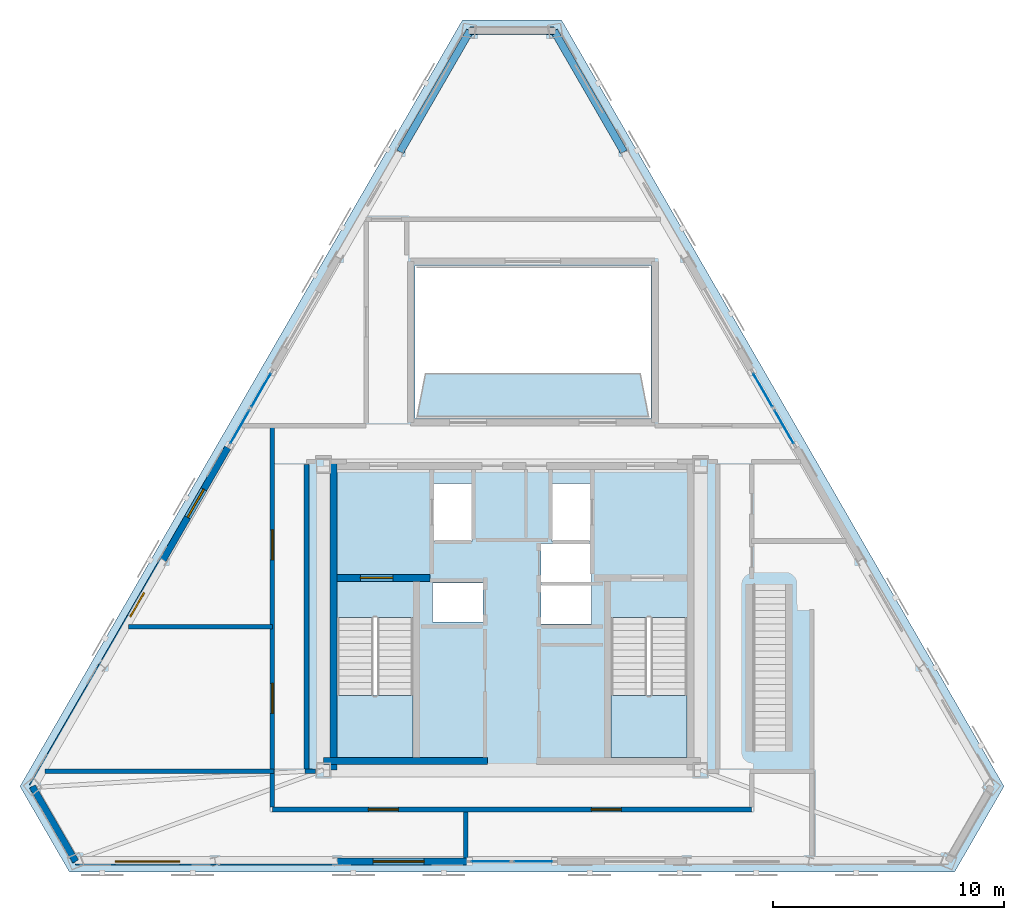
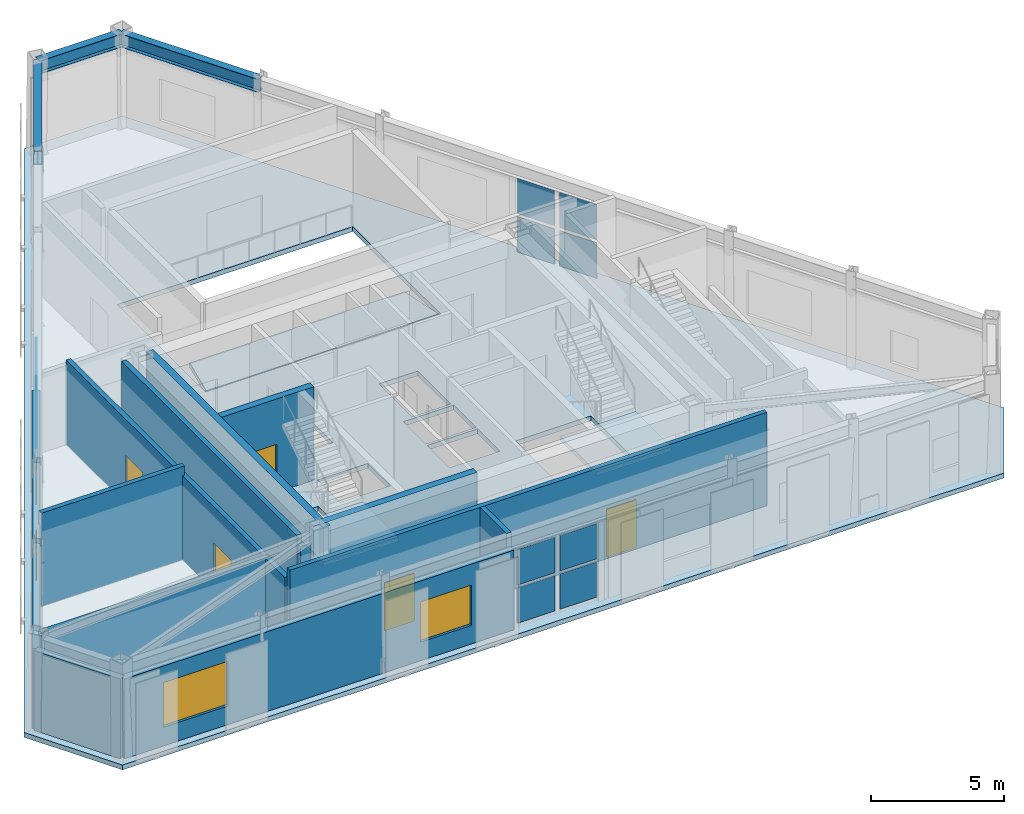
# One storey, part 9 of 15: 13 walls, 12 plates, 5 doors, 4 slabs, 4 windows, 3 beams, 9 openings, 5 elements without a shape of their own.
"""IFC4 building model written with IfcOpenShell, lengths in metres."""

from ifc_helpers import new_model, si_unit, direction, frame, frame_2d, origin, origin_2d, place, context, subcontext, project, spatial, polyline, rectangle, i_section, outline, extrude, material, layer, layer_set, material_profile, profile_set, type_object, element, fill, aggregate, save


model = new_model("IFC4")

# Units and contexts
model_context = context("Model", 3, precision=1e-05, world=origin(), true_north=direction((0.0, 1.0)))
body_context = subcontext(model_context, "Body", "Model", "MODEL_VIEW")
ifc_project = project(units=[si_unit("LENGTHUNIT", "METRE"), si_unit("AREAUNIT", "SQUARE_METRE"), si_unit("VOLUMEUNIT", "CUBIC_METRE"), si_unit("PLANEANGLEUNIT", "RADIAN"), si_unit("MASSUNIT", "GRAM", prefix="KILO")], contexts=[model_context])

# Site, building, storey
site_placement = place(None, origin())
site = spatial("IfcSite", under=ifc_project, at=site_placement, CompositionType="ELEMENT")
building_placement = place(site_placement, origin())
building = spatial("IfcBuilding", under=site, at=building_placement, Name="Oramaril Tower", CompositionType="ELEMENT")
storey_placement = place(building_placement, frame((0.0, 0.0, 305.10009765625)))
storey = spatial("IfcBuildingStorey", under=building, at=storey_placement, Name="L80", CompositionType="ELEMENT", Elevation=305.10009765625)

# Beams
ifc_material_1 = material(Name="Steel ASTM A572 Gr 50", Category="steel")
ifc_material_profile = material_profile(ifc_material_1, i_section(OverallWidth=0.324951171875, OverallDepth=0.612060546875, WebThickness=0.0126953125, FlangeThickness=0.01904296875, at=origin_2d()), Name="W24X104")
ifc_profile_set = profile_set([ifc_material_profile], Name="Steel ASTM A572 Gr 50")
beam_type = type_object("IfcBeamType", Name="BT-SP5", PredefinedType="SPANDREL", material=ifc_profile_set)
beam_1_placement = place(storey_placement, frame((42.333984375, 37.708740234375, 3.973876953125), z_axis=(-0.500000076814, 0.866025359436, 0.0), x_axis=(-0.866025359436, -0.500000076814, 0.0)))
element("IfcBeam", 1, at=beam_1_placement, inside=storey, type_object=beam_type, Name="L80 Perimeter Spandrel 12", PredefinedType="SPANDREL", context=body_context, shape_type="SweptSolid", body=[
    extrude(i_section(OverallWidth=0.324951171875, OverallDepth=0.612060546875, WebThickness=0.0126953125, FlangeThickness=0.01904296875, at=origin_2d()), origin(), (0.0, 0.0, 1.0), 6.0390625),
])
beam_2_placement = place(storey_placement, frame((39.314453125, 42.938720703125, 3.973876953125), z_axis=(-1.0, 0.0, 0.0), x_axis=(0.0, -1.0, 0.0)))
element("IfcBeam", 2, at=beam_2_placement, inside=storey, type_object=beam_type, Name="L80 Perimeter Spandrel 13", PredefinedType="SPANDREL", context=body_context, shape_type="SweptSolid", body=[
    extrude(i_section(OverallWidth=0.324951171875, OverallDepth=0.612060546875, WebThickness=0.0126953125, FlangeThickness=0.01904296875, at=origin_2d()), origin(), (0.0, 0.0, 1.0), 3.62890625),
])
beam_3_placement = place(storey_placement, frame((35.685546875, 42.938720703125, 3.973876953125), z_axis=(-0.500000076814, -0.866025359436, 0.0), x_axis=(0.866025359436, -0.500000076814, 0.0)))
element("IfcBeam", 3, at=beam_3_placement, inside=storey, type_object=beam_type, Name="L80 Perimeter Spandrel 14", PredefinedType="SPANDREL", context=body_context, shape_type="SweptSolid", body=[
    extrude(i_section(OverallWidth=0.324951171875, OverallDepth=0.612060546875, WebThickness=0.0126953125, FlangeThickness=0.01904296875, at=origin_2d()), origin(), (0.0, 0.0, 1.0), 6.0390625),
])

# Curtain wall, plates
ifc_material_2 = material(Name="Anodised Aluminium 6063-T6", Category="aluminium")
ifc_layer_1 = layer(ifc_material_2, 0.219970703125)
ifc_layer_set_1 = layer_set([ifc_layer_1], Name="CWT-SYS6")
curtain_wall_type = type_object("IfcCurtainWallType", Name="CWT-SYS6", PredefinedType="NOTDEFINED", material=ifc_layer_set_1)
curtain_wall_1_placement = place(storey_placement, origin())
curtain_wall_1 = element("IfcCurtainWall", 4, at=curtain_wall_1_placement, inside=storey, type_object=curtain_wall_type, Name="L80 Unitised Curtain Wall CW-6", PredefinedType="NOTDEFINED")
ifc_material_3 = material(Name="Coastal Low-E Insulated Glass", Category="glass")
ifc_layer_2 = layer(ifc_material_3, 0.035888671875)
ifc_layer_set_2 = layer_set([ifc_layer_2], Name="PLT-CWP3")
plate_type = type_object("IfcPlateType", Name="PLT-CWP3", PredefinedType="CURTAIN_PANEL", material=ifc_layer_set_2)
plate_1_placement = place(storey_placement, frame((36.580078125, 7.0537109375, 0.14013671875), z_axis=(0.0, 0.0, 1.0), x_axis=(1.0, 0.0, 0.0)))
plate_1 = element("IfcPlate", 5, at=plate_1_placement, type_object=plate_type, Name="CW-6 panel 1.1", PredefinedType="CURTAIN_PANEL", context=body_context, shape_type="SweptSolid", body=[
    extrude(rectangle(XDim=1.6201171875, YDim=0.035888671875, at=origin_2d()), origin(), (0.0, 0.0, 1.0), 1.618896484375),
])
plate_2_placement = place(storey_placement, frame((36.580078125, 7.0537109375, 1.89892578125), z_axis=(0.0, 0.0, 1.0), x_axis=(1.0, 0.0, 0.0)))
plate_2 = element("IfcPlate", 6, at=plate_2_placement, type_object=plate_type, Name="CW-6 panel 1.2", PredefinedType="CURTAIN_PANEL", context=body_context, shape_type="SweptSolid", body=[
    extrude(rectangle(XDim=1.6201171875, YDim=0.035888671875, at=origin_2d()), origin(), (0.0, 0.0, 1.0), 1.618896484375),
])
plate_3_placement = place(storey_placement, frame((38.419921875, 7.0537109375, 0.14013671875), z_axis=(0.0, 0.0, 1.0), x_axis=(1.0, 0.0, 0.0)))
plate_3 = element("IfcPlate", 7, at=plate_3_placement, type_object=plate_type, Name="CW-6 panel 2.1", PredefinedType="CURTAIN_PANEL", context=body_context, shape_type="SweptSolid", body=[
    extrude(rectangle(XDim=1.6201171875, YDim=0.035888671875, at=origin_2d()), origin(), (0.0, 0.0, 1.0), 1.618896484375),
])
plate_4_placement = place(storey_placement, frame((38.419921875, 7.0537109375, 1.89892578125), z_axis=(0.0, 0.0, 1.0), x_axis=(1.0, 0.0, 0.0)))
plate_4 = element("IfcPlate", 8, at=plate_4_placement, type_object=plate_type, Name="CW-6 panel 2.2", PredefinedType="CURTAIN_PANEL", context=body_context, shape_type="SweptSolid", body=[
    extrude(rectangle(XDim=1.6201171875, YDim=0.035888671875, at=origin_2d()), origin(), (0.0, 0.0, 1.0), 1.618896484375),
])
aggregate(curtain_wall_1, [plate_1, plate_2, plate_3, plate_4])

curtain_wall_2_placement = place(storey_placement, origin())
curtain_wall_2 = element("IfcCurtainWall", 9, at=curtain_wall_2_placement, inside=storey, type_object=curtain_wall_type, Name="L80 Unitised Curtain Wall CW-6", PredefinedType="NOTDEFINED")
plate_5_placement = place(storey_placement, frame((49.25830078125, 25.826416015625, 0.14013671875), z_axis=(0.0, 0.0, 1.0), x_axis=(-0.499999897278, 0.866025463091, 0.0)))
plate_5 = element("IfcPlate", 10, at=plate_5_placement, type_object=plate_type, Name="CW-6 panel 1.1", PredefinedType="CURTAIN_PANEL", context=body_context, shape_type="SweptSolid", body=[
    extrude(rectangle(XDim=1.6201171875, YDim=0.035888671875, at=origin_2d()), origin(), (0.0, 0.0, 1.0), 1.618896484375),
])
plate_6_placement = place(storey_placement, frame((49.25830078125, 25.826416015625, 1.89892578125), z_axis=(0.0, 0.0, 1.0), x_axis=(-0.499999897278, 0.866025463091, 0.0)))
plate_6 = element("IfcPlate", 11, at=plate_6_placement, type_object=plate_type, Name="CW-6 panel 1.2", PredefinedType="CURTAIN_PANEL", context=body_context, shape_type="SweptSolid", body=[
    extrude(rectangle(XDim=1.6201171875, YDim=0.035888671875, at=origin_2d()), origin(), (0.0, 0.0, 1.0), 1.618896484375),
])
plate_7_placement = place(storey_placement, frame((48.33837890625, 27.419921875, 0.14013671875), z_axis=(0.0, 0.0, 1.0), x_axis=(-0.499999897278, 0.866025463091, 0.0)))
plate_7 = element("IfcPlate", 12, at=plate_7_placement, type_object=plate_type, Name="CW-6 panel 2.1", PredefinedType="CURTAIN_PANEL", context=body_context, shape_type="SweptSolid", body=[
    extrude(rectangle(XDim=1.6201171875, YDim=0.035888671875, at=origin_2d()), origin(), (0.0, 0.0, 1.0), 1.618896484375),
])
plate_8_placement = place(storey_placement, frame((48.33837890625, 27.419921875, 1.89892578125), z_axis=(0.0, 0.0, 1.0), x_axis=(-0.499999897278, 0.866025463091, 0.0)))
plate_8 = element("IfcPlate", 13, at=plate_8_placement, type_object=plate_type, Name="CW-6 panel 2.2", PredefinedType="CURTAIN_PANEL", context=body_context, shape_type="SweptSolid", body=[
    extrude(rectangle(XDim=1.6201171875, YDim=0.035888671875, at=origin_2d()), origin(), (0.0, 0.0, 1.0), 1.618896484375),
])
aggregate(curtain_wall_2, [plate_5, plate_6, plate_7, plate_8])

curtain_wall_3_placement = place(storey_placement, origin())
curtain_wall_3 = element("IfcCurtainWall", 14, at=curtain_wall_3_placement, inside=storey, type_object=curtain_wall_type, Name="L80 Unitised Curtain Wall CW-6", PredefinedType="NOTDEFINED")
plate_9_placement = place(storey_placement, frame((26.66162109375, 27.419921875, 0.14013671875), z_axis=(0.0, 0.0, 1.0), x_axis=(-0.499999897278, -0.866025463091, 0.0)))
plate_9 = element("IfcPlate", 15, at=plate_9_placement, type_object=plate_type, Name="CW-6 panel 1.1", PredefinedType="CURTAIN_PANEL", context=body_context, shape_type="SweptSolid", body=[
    extrude(rectangle(XDim=1.6201171875, YDim=0.035888671875, at=origin_2d()), origin(), (0.0, 0.0, 1.0), 1.618896484375),
])
plate_10_placement = place(storey_placement, frame((26.66162109375, 27.419921875, 1.89892578125), z_axis=(0.0, 0.0, 1.0), x_axis=(-0.499999897278, -0.866025463091, 0.0)))
plate_10 = element("IfcPlate", 16, at=plate_10_placement, type_object=plate_type, Name="CW-6 panel 1.2", PredefinedType="CURTAIN_PANEL", context=body_context, shape_type="SweptSolid", body=[
    extrude(rectangle(XDim=1.6201171875, YDim=0.035888671875, at=origin_2d()), origin(), (0.0, 0.0, 1.0), 1.618896484375),
])
plate_11_placement = place(storey_placement, frame((25.74169921875, 25.826416015625, 0.14013671875), z_axis=(0.0, 0.0, 1.0), x_axis=(-0.499999897278, -0.866025463091, 0.0)))
plate_11 = element("IfcPlate", 17, at=plate_11_placement, type_object=plate_type, Name="CW-6 panel 2.1", PredefinedType="CURTAIN_PANEL", context=body_context, shape_type="SweptSolid", body=[
    extrude(rectangle(XDim=1.6201171875, YDim=0.035888671875, at=origin_2d()), origin(), (0.0, 0.0, 1.0), 1.618896484375),
])
plate_12_placement = place(storey_placement, frame((25.74169921875, 25.826416015625, 1.89892578125), z_axis=(0.0, 0.0, 1.0), x_axis=(-0.499999897278, -0.866025463091, 0.0)))
plate_12 = element("IfcPlate", 18, at=plate_12_placement, type_object=plate_type, Name="CW-6 panel 2.2", PredefinedType="CURTAIN_PANEL", context=body_context, shape_type="SweptSolid", body=[
    extrude(rectangle(XDim=1.6201171875, YDim=0.035888671875, at=origin_2d()), origin(), (0.0, 0.0, 1.0), 1.618896484375),
])
aggregate(curtain_wall_3, [plate_9, plate_10, plate_11, plate_12])

# Slabs
ifc_material_4 = material(Name="Concrete C50/60", Category="concrete")
ifc_layer_3 = layer(ifc_material_4, 0.219970703125)
ifc_layer_set_3 = layer_set([ifc_layer_3], Name="SLT-FLR22")
slab_type_1 = type_object("IfcSlabType", Name="SLT-FLR22", PredefinedType="FLOOR", material=ifc_layer_set_3)
slab_1_placement = place(storey_placement, frame((0.0, 0.0, -0.22021484375)))
element("IfcSlab", 19, at=slab_1_placement, inside=storey, type_object=slab_type_1, Name="L80 Structural Floor Slab Part 1", PredefinedType="FLOOR", context=body_context, shape_type="SweptSolid", body=[
    extrude(outline(polyline([(35.361083984375, 43.408203125), (39.638916015625, 43.408203125), (58.7548828125, 10.29833984375), (56.615966796875, 6.59375), (18.384033203125, 6.59375), (16.2451171875, 10.29833984375), (35.361083984375, 43.408203125)]), holes=[polyline([(43.5, 32.800048828125), (33.300048828125, 32.800048828125), (33.300048828125, 26.199951171875), (43.5, 26.199951171875), (43.5, 32.800048828125)]), polyline([(29.949951171875, 17.58935546875), (29.949951171875, 11.550048828125), (33.219970703125, 11.550048828125), (33.219970703125, 17.58935546875), (29.949951171875, 17.58935546875)]), polyline([(41.780029296875, 17.58935546875), (41.780029296875, 11.550048828125), (45.050048828125, 11.550048828125), (45.050048828125, 17.58935546875), (41.780029296875, 17.58935546875)]), polyline([(34.110107421875, 20.909912109375), (35.7900390625, 20.909912109375), (35.7900390625, 23.389892578125), (34.110107421875, 23.389892578125), (34.110107421875, 20.909912109375)]), polyline([(39.2099609375, 20.909912109375), (40.889892578125, 20.909912109375), (40.889892578125, 23.389892578125), (39.2099609375, 23.389892578125), (39.2099609375, 20.909912109375)]), polyline([(34.06005859375, 17.409912109375), (36.239990234375, 17.409912109375), (36.239990234375, 19.090087890625), (34.06005859375, 19.090087890625), (34.06005859375, 17.409912109375)]), polyline([(38.760009765625, 17.31005859375), (40.93994140625, 17.31005859375), (40.93994140625, 18.989990234375), (38.760009765625, 18.989990234375), (38.760009765625, 17.31005859375)]), polyline([(38.760009765625, 19.110107421875), (40.93994140625, 19.110107421875), (40.93994140625, 20.7900390625), (38.760009765625, 20.7900390625), (38.760009765625, 19.110107421875)])]), origin(), (0.0, 0.0, 1.0), 0.22021484375),
])
slab_2_placement = place(storey_placement, frame((0.0, 0.0, -0.22021484375)))
element("IfcSlab", 20, at=slab_2_placement, inside=storey, type_object=slab_type_1, Name="L80 Wind Portal Observation Deck Slab", PredefinedType="FLOOR", context=body_context, shape_type="SweptSolid", body=[
    extrude(outline(polyline([(33.360107421875, 26.239990234375), (43.43994140625, 26.239990234375), (43.06005859375, 28.14990234375), (33.739990234375, 28.14990234375), (33.360107421875, 26.239990234375)])), origin(), (0.0, 0.0, 1.0), 0.22021484375),
])

# Stair, slab
ifc_material_5 = material(Name="Concrete C50/60", Category="concrete")
stair_type = type_object("IfcStairType", Name="STT-DG-4500", PredefinedType="HALF_TURN_STAIR", material=ifc_material_5)
stair_1_placement = place(storey_placement, origin())
stair_1 = element("IfcStair", 21, at=stair_1_placement, inside=storey, type_object=stair_type, Name="L80 Protected PFP Exit Stair ST-1", PredefinedType="HALF_TURN_STAIR")
ifc_material_6 = material(Name="Concrete C50/60", Category="concrete")
ifc_layer_4 = layer(ifc_material_6, 0.199951171875)
ifc_layer_set_4 = layer_set([ifc_layer_4], Name="SLT-LND20")
slab_type_2 = type_object("IfcSlabType", Name="SLT-LND20", PredefinedType="LANDING", material=ifc_layer_set_4)
slab_3_placement = place(storey_placement, frame((0.0, 0.0, 2.0498046875)))
slab_3 = element("IfcSlab", 22, at=slab_3_placement, type_object=slab_type_2, Name="ST-1 landing 1", PredefinedType="LANDING", context=body_context, shape_type="SweptSolid", body=[
    extrude(outline(polyline([(29.949951171875, 14.22998046875), (29.949951171875, 11.550048828125), (33.219970703125, 11.550048828125), (33.219970703125, 14.22998046875), (29.949951171875, 14.22998046875)])), origin(), (0.0, 0.0, 1.0), 0.2001953125),
])
aggregate(stair_1, [slab_3])

stair_2_placement = place(storey_placement, origin())
stair_2 = element("IfcStair", 23, at=stair_2_placement, inside=storey, type_object=stair_type, Name="L80 Protected PFP Exit Stair ST-2", PredefinedType="HALF_TURN_STAIR")
slab_4_placement = place(storey_placement, frame((0.0, 0.0, 2.0498046875)))
slab_4 = element("IfcSlab", 24, at=slab_4_placement, type_object=slab_type_2, Name="ST-2 landing 1", PredefinedType="LANDING", context=body_context, shape_type="SweptSolid", body=[
    extrude(outline(polyline([(41.780029296875, 14.22998046875), (41.780029296875, 11.550048828125), (45.050048828125, 11.550048828125), (45.050048828125, 14.22998046875), (41.780029296875, 14.22998046875)])), origin(), (0.0, 0.0, 1.0), 0.2001953125),
])
aggregate(stair_2, [slab_4])

# Wall
ifc_material_7 = material(Name="Warm Cream Limestone", Category="masonry")
ifc_layer_5 = layer(ifc_material_7, 0.2900390625)
ifc_layer_set_5 = layer_set([ifc_layer_5], Name="WT-EXT29")
wall_type_1 = type_object("IfcWallType", Name="WT-EXT29", PredefinedType="SOLIDWALL", material=ifc_layer_set_5)
wall_1_placement = place(storey_placement, frame((16.7763671875, 10.29833984375, 0.0), z_axis=(0.0, 0.0, 1.0), x_axis=(0.500000729302, -0.866024982721, 0.0)))
element("IfcWall", 25, at=wall_1_placement, inside=storey, type_object=wall_type_1, Name="L80 Tower Limestone Facade Wall 1M", PredefinedType="SOLIDWALL", context=body_context, shape_type="SweptSolid", body=[
    extrude(rectangle(XDim=3.74658203125, YDim=0.2900390625, at=frame_2d((1.873291015625, 0.0))), origin(), (0.0, 0.0, 1.0), 3.657958984375),
])

# Wall, openings, windows
wall_2_placement = place(storey_placement, frame((18.649658203125, 7.0537109375, 0.0), z_axis=(0.0, 0.0, 1.0), x_axis=(1.0, 0.0, 0.0)))
wall_2 = element("IfcWall", 26, at=wall_2_placement, inside=storey, type_object=wall_type_1, Name="L80 Tower Limestone Facade Wall 2L", PredefinedType="SOLIDWALL", context=body_context, shape_type="SweptSolid", body=[
    extrude(rectangle(XDim=16.900390625, YDim=0.2900390625, at=frame_2d((8.4501953125, 0.0))), origin(), (0.0, 0.0, 1.0), 3.657958984375),
])
opening_1_placement = place(wall_2_placement, frame((1.699951171875, 0.0, 0.85009765625)))
opening_1 = element("IfcOpeningElement", 27, at=opening_1_placement, cuts=wall_2, Name="Opening WN-01", PredefinedType="OPENING", context=body_context, shape_type="SweptSolid", body=[
    extrude(rectangle(XDim=2.800048828125, YDim=2.050048828125, at=frame_2d((1.39990234375, 1.02490234375))), frame((0.0, 0.14501953125, 0.0), z_axis=(0.0, -1.0, 0.0), x_axis=(1.0, 0.0, 0.0)), (0.0, 0.0, 1.0), 0.2900390625),
])
opening_2_placement = place(wall_2_placement, frame((12.850341796875, 0.0, 0.85009765625)))
opening_2 = element("IfcOpeningElement", 28, at=opening_2_placement, cuts=wall_2, Name="Opening WN-04", PredefinedType="OPENING", context=body_context, shape_type="SweptSolid", body=[
    extrude(rectangle(XDim=2.199951171875, YDim=1.85009765625, at=frame_2d((1.10009765625, 0.925048828125))), frame((0.0, 0.14501953125, 0.0), z_axis=(0.0, -1.0, 0.0), x_axis=(1.0, 0.0, 0.0)), (0.0, 0.0, 1.0), 0.2900390625),
])
ifc_material_8 = material(Name="Coastal Low-E Insulated Glass", Category="glass")
window_type_1 = type_object("IfcWindowType", Name="WNT-01", PartitioningType="SINGLE_PANEL", PredefinedType="WINDOW", material=ifc_material_8)
window_1_placement = place(opening_1_placement, origin())
window_1 = element("IfcWindow", 29, at=window_1_placement, inside=storey, type_object=window_type_1, Name="L80 Chicago Bay Window WN-01", OverallHeight=2.050048828125, OverallWidth=2.800048828125, PartitioningType="SINGLE_PANEL", PredefinedType="WINDOW", context=body_context, shape_type="SweptSolid", body=[
    extrude(rectangle(XDim=2.800048828125, YDim=2.050048828125, at=frame_2d((1.39990234375, 1.02490234375))), frame((0.0, 0.030029296875, 0.0), z_axis=(0.0, -1.0, 0.0), x_axis=(1.0, 0.0, 0.0)), (0.0, 0.0, 1.0), 0.06005859375),
])
fill(opening_1, window_1)
ifc_material_9 = material(Name="Coastal Low-E Insulated Glass", Category="glass")
window_type_2 = type_object("IfcWindowType", Name="WNT-04", PartitioningType="SINGLE_PANEL", PredefinedType="WINDOW", material=ifc_material_9)
window_2_placement = place(opening_2_placement, origin())
window_2 = element("IfcWindow", 30, at=window_2_placement, inside=storey, type_object=window_type_2, Name="L80 Chicago Bay Window WN-04", OverallHeight=1.85009765625, OverallWidth=2.199951171875, PartitioningType="SINGLE_PANEL", PredefinedType="WINDOW", context=body_context, shape_type="SweptSolid", body=[
    extrude(rectangle(XDim=2.199951171875, YDim=1.85009765625, at=frame_2d((1.10009765625, 0.925048828125))), frame((0.0, 0.030029296875, 0.0), z_axis=(0.0, -1.0, 0.0), x_axis=(1.0, 0.0, 0.0)), (0.0, 0.0, 1.0), 0.06005859375),
])
fill(opening_2, window_2)

wall_3_placement = place(storey_placement, frame((25.2265625, 24.934326171875, 0.0), z_axis=(0.0, 0.0, 1.0), x_axis=(-0.500004644874, -0.866022722049, 0.0)))
wall_3 = element("IfcWall", 31, at=wall_3_placement, inside=storey, type_object=wall_type_1, Name="L80 Tower Limestone Facade Wall 6R", PredefinedType="SOLIDWALL", context=body_context, shape_type="SweptSolid", body=[
    extrude(rectangle(XDim=16.900146484375, YDim=0.2900390625, at=frame_2d((8.4501953125, 0.0))), origin(), (0.0, 0.0, 1.0), 3.657958984375),
])
opening_3_placement = place(wall_3_placement, frame((2.079345703125, 0.0, 0.85009765625)))
opening_3 = element("IfcOpeningElement", 32, at=opening_3_placement, cuts=wall_3, Name="Opening WN-08", PredefinedType="OPENING", context=body_context, shape_type="SweptSolid", body=[
    extrude(rectangle(XDim=1.39990234375, YDim=1.60009765625, at=frame_2d((0.699951171875, 0.800048828125))), frame((0.0, 0.14501953125, 0.0), z_axis=(0.0, -1.0, 0.0), x_axis=(1.0, 0.0, 0.0)), (0.0, 0.0, 1.0), 0.2900390625),
])
opening_4_placement = place(wall_3_placement, frame((7.23779296875, 0.0, 0.85009765625)))
opening_4 = element("IfcOpeningElement", 33, at=opening_4_placement, cuts=wall_3, Name="Opening WN-09", PredefinedType="OPENING", context=body_context, shape_type="SweptSolid", body=[
    extrude(rectangle(XDim=1.199951171875, YDim=1.47998046875, at=frame_2d((0.60009765625, 0.739990234375))), frame((0.0, 0.14501953125, 0.0), z_axis=(0.0, -1.0, 0.0), x_axis=(1.0, 0.0, 0.0)), (0.0, 0.0, 1.0), 0.2900390625),
])
ifc_material_10 = material(Name="Coastal Low-E Insulated Glass", Category="glass")
window_type_3 = type_object("IfcWindowType", Name="WNT-08", PartitioningType="SINGLE_PANEL", PredefinedType="WINDOW", material=ifc_material_10)
window_3_placement = place(opening_3_placement, origin())
window_3 = element("IfcWindow", 34, at=window_3_placement, inside=storey, type_object=window_type_3, Name="L80 Chicago Bay Window WN-08", OverallHeight=1.60009765625, OverallWidth=1.39990234375, PartitioningType="SINGLE_PANEL", PredefinedType="WINDOW", context=body_context, shape_type="SweptSolid", body=[
    extrude(rectangle(XDim=1.39990234375, YDim=1.60009765625, at=frame_2d((0.699951171875, 0.800048828125))), frame((0.0, 0.030029296875, 0.0), z_axis=(0.0, -1.0, 0.0), x_axis=(1.0, 0.0, 0.0)), (0.0, 0.0, 1.0), 0.06005859375),
])
fill(opening_3, window_3)
ifc_material_11 = material(Name="Coastal Low-E Insulated Glass", Category="glass")
window_type_4 = type_object("IfcWindowType", Name="WNT-09", PartitioningType="SINGLE_PANEL", PredefinedType="WINDOW", material=ifc_material_11)
window_4_placement = place(opening_4_placement, origin())
window_4 = element("IfcWindow", 35, at=window_4_placement, inside=storey, type_object=window_type_4, Name="L80 Chicago Bay Window WN-09", OverallHeight=1.47998046875, OverallWidth=1.199951171875, PartitioningType="SINGLE_PANEL", PredefinedType="WINDOW", context=body_context, shape_type="SweptSolid", body=[
    extrude(rectangle(XDim=1.199951171875, YDim=1.47998046875, at=frame_2d((0.60009765625, 0.739990234375))), frame((0.0, 0.030029296875, 0.0), z_axis=(0.0, -1.0, 0.0), x_axis=(1.0, 0.0, 0.0)), (0.0, 0.0, 1.0), 0.06005859375),
])
fill(opening_4, window_4)

# Wall, openings, doors
ifc_material_12 = material(Name="Autoclaved Cellular Concrete Block", Category="concrete")
ifc_layer_6 = layer(ifc_material_12, 0.199951171875)
ifc_layer_set_6 = layer_set([ifc_layer_6], Name="WT-PT20")
wall_type_2 = type_object("IfcWallType", Name="WT-PT20", PredefinedType="PARTITIONING", material=ifc_layer_set_6)
wall_4_placement = place(storey_placement, frame((27.14990234375, 9.300048828125, 0.0), z_axis=(0.0, 0.0, 1.0), x_axis=(1.0, 0.0, 0.0)))
wall_4 = element("IfcWall", 36, at=wall_4_placement, inside=storey, type_object=wall_type_2, Name="L80 Interior Partition PT-20", PredefinedType="PARTITIONING", context=body_context, shape_type="SweptSolid", body=[
    extrude(rectangle(XDim=20.7001953125, YDim=0.199951171875, at=frame_2d((10.35009765625, 0.0))), origin(), (0.0, 0.0, 1.0), 4.27978515625),
])
opening_5_placement = place(wall_4_placement, frame((4.14453125, 0.0, 0.0)))
opening_5 = element("IfcOpeningElement", 37, at=opening_5_placement, cuts=wall_4, Name="Opening D-L80-01", PredefinedType="OPENING", context=body_context, shape_type="SweptSolid", body=[
    extrude(rectangle(XDim=1.300048828125, YDim=2.199951171875, at=frame_2d((0.64990234375, 1.10009765625))), frame((0.0, 0.10009765625, 0.0), z_axis=(0.0, -1.0, 0.0), x_axis=(1.0, 0.0, 0.0)), (0.0, 0.0, 1.0), 0.199951171875),
])
opening_6_placement = place(wall_4_placement, frame((13.77490234375, 0.0, 0.0)))
opening_6 = element("IfcOpeningElement", 38, at=opening_6_placement, cuts=wall_4, Name="Opening D-L80-02", PredefinedType="OPENING", context=body_context, shape_type="SweptSolid", body=[
    extrude(rectangle(XDim=1.300048828125, YDim=2.199951171875, at=frame_2d((0.64990234375, 1.10009765625))), frame((0.0, 0.10009765625, 0.0), z_axis=(0.0, -1.0, 0.0), x_axis=(1.0, 0.0, 0.0)), (0.0, 0.0, 1.0), 0.199951171875),
])
ifc_material_13 = material(Name="FSC Brazilian Freijo Hardwood", Category="wood")
door_type_1 = type_object("IfcDoorType", Name="DT-COM", OperationType="NOTDEFINED", PredefinedType="DOOR", material=ifc_material_13)
door_1_placement = place(opening_5_placement, origin())
door_1 = element("IfcDoor", 39, at=door_1_placement, inside=storey, type_object=door_type_1, Name="L80 L80 Aerodynamic Portal Sky Lounge Door D-L80-01", OperationType="SINGLE_SWING_RIGHT", OverallHeight=2.199951171875, OverallWidth=1.300048828125, PredefinedType="DOOR", context=body_context, shape_type="SweptSolid", body=[
    extrude(rectangle(XDim=1.300048828125, YDim=2.199951171875, at=frame_2d((0.64990234375, 1.10009765625))), frame((0.0, 0.02490234375, 0.0), z_axis=(0.0, -1.0, 0.0), x_axis=(1.0, 0.0, 0.0)), (0.0, 0.0, 1.0), 0.050048828125),
])
fill(opening_5, door_1)
door_2_placement = place(opening_6_placement, origin())
door_2 = element("IfcDoor", 40, at=door_2_placement, inside=storey, type_object=door_type_1, Name="L80 L80 High-Altitude Observatory Bistro Door D-L80-02", OperationType="SINGLE_SWING_LEFT", OverallHeight=2.199951171875, OverallWidth=1.300048828125, PredefinedType="DOOR", context=body_context, shape_type="SweptSolid", body=[
    extrude(rectangle(XDim=1.300048828125, YDim=2.199951171875, at=frame_2d((0.64990234375, 1.10009765625))), frame((0.0, 0.02490234375, 0.0), z_axis=(0.0, -1.0, 0.0), x_axis=(1.0, 0.0, 0.0)), (0.0, 0.0, 1.0), 0.050048828125),
])
fill(opening_6, door_2)

# Walls
wall_5_placement = place(storey_placement, frame((17.32470703125, 10.949951171875, 0.0), z_axis=(0.0, 0.0, 1.0), x_axis=(1.0, 0.0, 0.0)))
element("IfcWall", 41, at=wall_5_placement, inside=storey, type_object=wall_type_2, Name="L80 Interior Partition PT-20", PredefinedType="PARTITIONING", context=body_context, shape_type="SweptSolid", body=[
    extrude(rectangle(XDim=9.88525390625, YDim=0.199951171875, at=frame_2d((4.942626953125, 0.0))), origin(), (0.0, 0.0, 1.0), 3.865966796875),
])
wall_6_placement = place(storey_placement, frame((28.56005859375, 10.949951171875, 0.0), z_axis=(0.0, 0.0, 1.0), x_axis=(1.0, 0.0, 0.0)))
element("IfcWall", 42, at=wall_6_placement, inside=storey, type_object=wall_type_2, Name="L80 Interior Partition PT-20", PredefinedType="PARTITIONING", context=body_context, shape_type="SweptSolid", body=[
    extrude(rectangle(XDim=0.449951171875, YDim=0.199951171875, at=frame_2d((0.22509765625, 0.0))), origin(), (0.0, 0.0, 1.0), 3.865966796875),
])
wall_7_placement = place(storey_placement, frame((20.93310546875, 17.199951171875, 0.0), z_axis=(0.0, 0.0, 1.0), x_axis=(1.0, 0.0, 0.0)))
element("IfcWall", 43, at=wall_7_placement, inside=storey, type_object=wall_type_2, Name="L80 Interior Partition PT-20", PredefinedType="PARTITIONING", context=body_context, shape_type="SweptSolid", body=[
    extrude(rectangle(XDim=6.216796875, YDim=0.199951171875, at=frame_2d((3.1083984375, 0.0))), origin(), (0.0, 0.0, 1.0), 4.27978515625),
])

# Wall, openings, doors
wall_8_placement = place(storey_placement, frame((27.14990234375, 9.404052734375, 0.0), z_axis=(0.0, 0.0, 1.0), x_axis=(0.0, 1.0, 0.0)))
wall_8 = element("IfcWall", 44, at=wall_8_placement, inside=storey, type_object=wall_type_2, Name="L80 Interior Partition PT-20", PredefinedType="PARTITIONING", context=body_context, shape_type="SweptSolid", body=[
    extrude(rectangle(XDim=16.43994140625, YDim=0.199951171875, at=frame_2d((8.219970703125, 0.0))), origin(), (0.0, 0.0, 1.0), 3.865966796875),
])
opening_7_placement = place(wall_8_placement, frame((4.047119140625, 0.0, 0.0)))
opening_7 = element("IfcOpeningElement", 45, at=opening_7_placement, cuts=wall_8, Name="Opening D-L80-05", PredefinedType="OPENING", context=body_context, shape_type="SweptSolid", body=[
    extrude(rectangle(XDim=1.300048828125, YDim=2.199951171875, at=frame_2d((0.64990234375, 1.10009765625))), frame((0.0, 0.10009765625, 0.0), z_axis=(0.0, -1.0, 0.0), x_axis=(1.0, 0.0, 0.0)), (0.0, 0.0, 1.0), 0.199951171875),
])
opening_8_placement = place(wall_8_placement, frame((10.679931640625, 0.0, 0.0)))
opening_8 = element("IfcOpeningElement", 46, at=opening_8_placement, cuts=wall_8, Name="Opening D-L80-06", PredefinedType="OPENING", context=body_context, shape_type="SweptSolid", body=[
    extrude(rectangle(XDim=1.300048828125, YDim=2.199951171875, at=frame_2d((0.64990234375, 1.10009765625))), frame((0.0, 0.10009765625, 0.0), z_axis=(0.0, -1.0, 0.0), x_axis=(1.0, 0.0, 0.0)), (0.0, 0.0, 1.0), 0.199951171875),
])
door_3_placement = place(opening_7_placement, origin())
door_3 = element("IfcDoor", 47, at=door_3_placement, inside=storey, type_object=door_type_1, Name="L80 L80 Observatory Catering Kitchen Door D-L80-05", OperationType="SINGLE_SWING_RIGHT", OverallHeight=2.199951171875, OverallWidth=1.300048828125, PredefinedType="DOOR", context=body_context, shape_type="SweptSolid", body=[
    extrude(rectangle(XDim=1.300048828125, YDim=2.199951171875, at=frame_2d((0.64990234375, 1.10009765625))), frame((0.0, 0.02490234375, 0.0), z_axis=(0.0, -1.0, 0.0), x_axis=(1.0, 0.0, 0.0)), (0.0, 0.0, 1.0), 0.050048828125),
])
fill(opening_7, door_3)
door_4_placement = place(opening_8_placement, origin())
door_4 = element("IfcDoor", 48, at=door_4_placement, inside=storey, type_object=door_type_1, Name="L80 L80 Panoramic Reading Study Door D-L80-06", OperationType="SINGLE_SWING_LEFT", OverallHeight=2.199951171875, OverallWidth=1.300048828125, PredefinedType="DOOR", context=body_context, shape_type="SweptSolid", body=[
    extrude(rectangle(XDim=1.300048828125, YDim=2.199951171875, at=frame_2d((0.64990234375, 1.10009765625))), frame((0.0, 0.02490234375, 0.0), z_axis=(0.0, -1.0, 0.0), x_axis=(1.0, 0.0, 0.0)), (0.0, 0.0, 1.0), 0.050048828125),
])
fill(opening_8, door_4)

# Walls
wall_9_placement = place(storey_placement, frame((28.6201171875, 11.053955078125, 0.0), z_axis=(0.0, 0.0, 1.0), x_axis=(0.0, 1.0, 0.0)))
element("IfcWall", 49, at=wall_9_placement, inside=storey, type_object=wall_type_2, Name="L80 Interior Partition PT-20", PredefinedType="PARTITIONING", context=body_context, shape_type="SweptSolid", body=[
    extrude(rectangle(XDim=13.162109375, YDim=0.199951171875, at=frame_2d((6.5810546875, 0.0))), origin(), (0.0, 0.0, 1.0), 4.27978515625),
])
wall_10_placement = place(storey_placement, frame((35.5, 7.20263671875, 0.0), z_axis=(0.0, 0.0, 1.0), x_axis=(0.0, 1.0, 0.0)))
element("IfcWall", 50, at=wall_10_placement, inside=storey, type_object=wall_type_2, Name="L80 Interior Partition PT-20", PredefinedType="PARTITIONING", context=body_context, shape_type="SweptSolid", body=[
    extrude(rectangle(XDim=1.993408203125, YDim=0.199951171875, at=frame_2d((0.99658203125, 0.0))), origin(), (0.0, 0.0, 1.0), 4.27978515625),
])
ifc_material_14 = material(Name="Concrete C50/60", Category="concrete")
ifc_layer_7 = layer(ifc_material_14, 0.300048828125)
ifc_layer_set_7 = layer_set([ifc_layer_7], Name="WT-SH30")
wall_type_3 = type_object("IfcWallType", Name="WT-SH30", PredefinedType="SHEAR", material=ifc_layer_set_7)
wall_11_placement = place(storey_placement, frame((29.7900390625, 11.0, 0.0), z_axis=(0.0, 0.0, 1.0), x_axis=(0.0, 1.0, 0.0)))
element("IfcWall", 51, at=wall_11_placement, inside=storey, type_object=wall_type_3, Name="L80 Core Shear Wall CW-W", PredefinedType="SHEAR", context=body_context, shape_type="SweptSolid", body=[
    extrude(rectangle(XDim=13.300048828125, YDim=0.300048828125, at=frame_2d((6.64990234375, 0.0))), origin(), (0.0, 0.0, 1.0), 4.27978515625),
])
wall_12_placement = place(storey_placement, frame((29.35009765625, 11.389892578125, 0.0), z_axis=(0.0, 0.0, 1.0), x_axis=(1.0, 0.0, 0.0)))
element("IfcWall", 52, at=wall_12_placement, inside=storey, type_object=wall_type_3, Name="L80 Core Shear Wall CW-SW", PredefinedType="SHEAR", context=body_context, shape_type="SweptSolid", body=[
    extrude(rectangle(XDim=7.099853515625, YDim=0.300048828125, at=frame_2d((3.5498046875, 0.0))), origin(), (0.0, 0.0, 1.0), 4.27978515625),
])

# Wall, opening, door
wall_13_placement = place(storey_placement, frame((29.93994140625, 19.31005859375, 0.0), z_axis=(0.0, 0.0, 1.0), x_axis=(1.0, 0.0, 0.0)))
wall_13 = element("IfcWall", 53, at=wall_13_placement, inside=storey, type_object=wall_type_3, Name="L80 Core Shear Wall CW-ST1N", PredefinedType="SHEAR", context=body_context, shape_type="SweptSolid", body=[
    extrude(rectangle(XDim=4.010009765625, YDim=0.300048828125, at=frame_2d((2.0048828125, 0.0))), origin(), (0.0, 0.0, 1.0), 4.27978515625),
])
opening_9_placement = place(wall_13_placement, frame((1.010009765625, 0.0, 0.0)))
opening_9 = element("IfcOpeningElement", 54, at=opening_9_placement, cuts=wall_13, Name="Opening D-L80-ST1", PredefinedType="OPENING", context=body_context, shape_type="SweptSolid", body=[
    extrude(rectangle(XDim=1.39990234375, YDim=2.199951171875, at=frame_2d((0.699951171875, 1.10009765625))), frame((0.0, 0.14990234375, 0.0), z_axis=(0.0, -1.0, 0.0), x_axis=(1.0, 0.0, 0.0)), (0.0, 0.0, 1.0), 0.300048828125),
])
ifc_material_15 = material(Name="Painted Galvanised Steel", Category="steel")
door_type_2 = type_object("IfcDoorType", Name="DT-ST", OperationType="NOTDEFINED", PredefinedType="DOOR", material=ifc_material_15)
door_5_placement = place(opening_9_placement, origin())
door_5 = element("IfcDoor", 55, at=door_5_placement, inside=storey, type_object=door_type_2, Name="L80 Protected Stair ST-1 Fire Door", OperationType="SINGLE_SWING_LEFT", OverallHeight=2.199951171875, OverallWidth=1.39990234375, PredefinedType="DOOR", context=body_context, shape_type="SweptSolid", body=[
    extrude(rectangle(XDim=1.39990234375, YDim=2.199951171875, at=frame_2d((0.699951171875, 1.10009765625))), frame((0.0, 0.02490234375, 0.0), z_axis=(0.0, -1.0, 0.0), x_axis=(1.0, 0.0, 0.0)), (0.0, 0.0, 1.0), 0.050048828125),
])
fill(opening_9, door_5)

save(model, "model.ifc")
